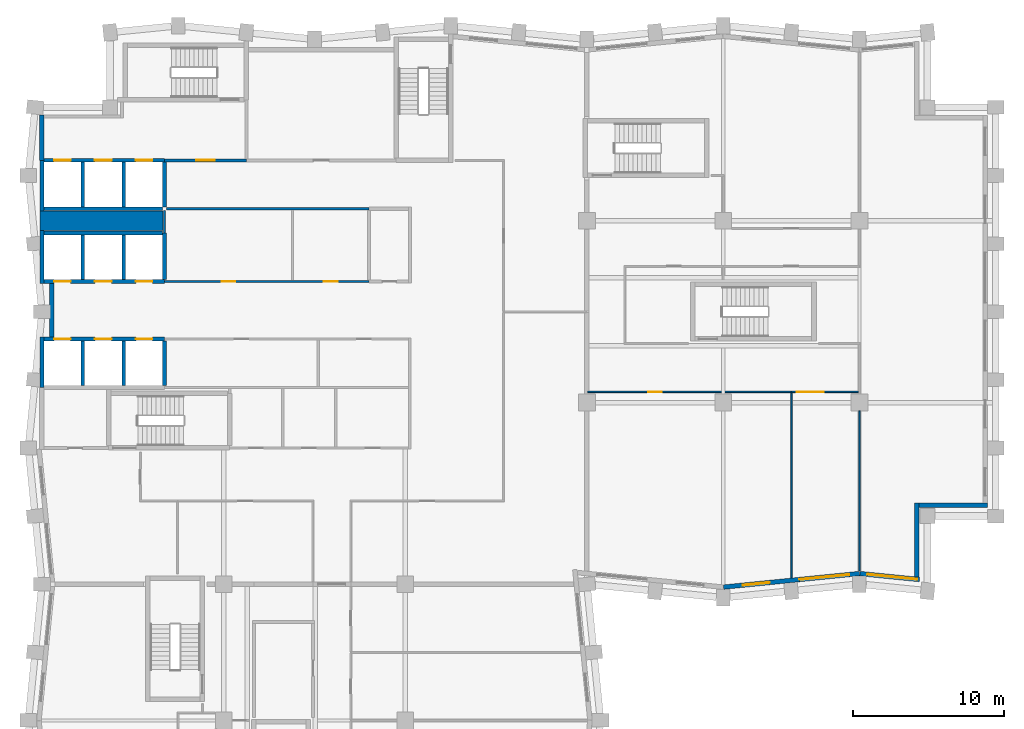
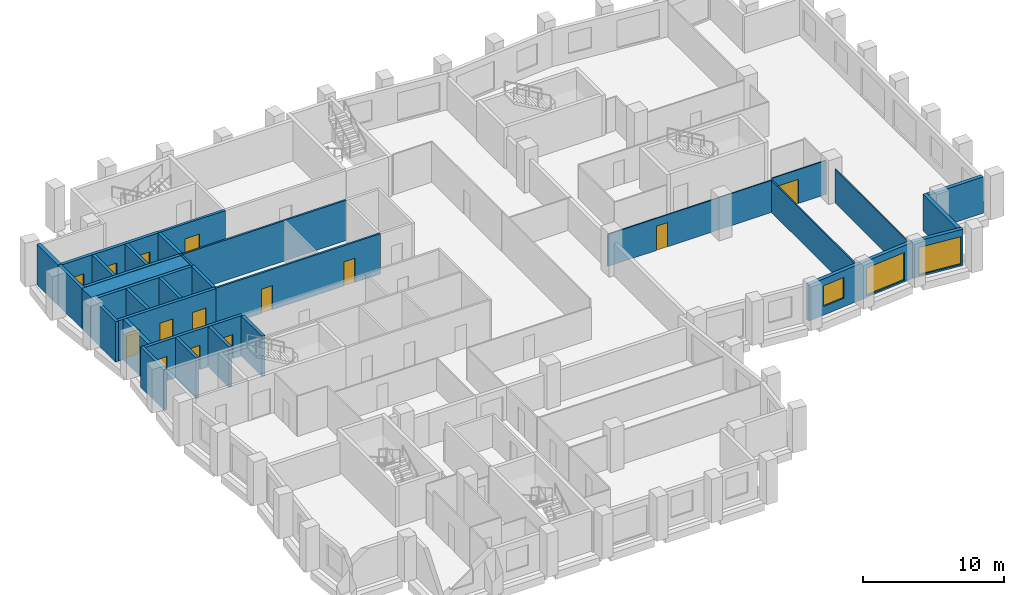
# One storey, part 5 of 10: 32 walls, 14 doors, 3 windows, 17 openings.
"""IFC4 building model written with IfcOpenShell, lengths in metres."""

from ifc_helpers import new_model, si_unit, direction, frame, frame_2d, origin, place, context, subcontext, project, spatial, rectangle, extrude, material, layer, layer_set, type_object, element, fill, save


model = new_model("IFC4")

# Units and contexts
model_context = context("Model", 3, precision=1e-05, world=origin(), true_north=direction((0.0, 1.0)))
body_context = subcontext(model_context, "Body", "Model", "MODEL_VIEW")
ifc_project = project(units=[si_unit("LENGTHUNIT", "METRE"), si_unit("AREAUNIT", "SQUARE_METRE"), si_unit("VOLUMEUNIT", "CUBIC_METRE"), si_unit("PLANEANGLEUNIT", "RADIAN"), si_unit("MASSUNIT", "GRAM", prefix="KILO")], contexts=[model_context])

# Site, building, storey
site_placement = place(None, origin())
site = spatial("IfcSite", under=ifc_project, at=site_placement, CompositionType="ELEMENT")
building_placement = place(site_placement, origin())
building = spatial("IfcBuilding", under=site, at=building_placement, Name="Brondeck Convention Tower", CompositionType="ELEMENT")
storey_placement = place(building_placement, frame((0.0, 0.0, 162.39990234375)))
storey = spatial("IfcBuildingStorey", under=building, at=storey_placement, Name="L39", CompositionType="ELEMENT", Elevation=162.39990234375)

# Walls
ifc_material_1 = material(Name="Concrete C70/85", Category="concrete")
ifc_layer_1 = layer(ifc_material_1, 0.300048828125)
ifc_layer_set_1 = layer_set([ifc_layer_1], Name="Core outer wall 300 Concrete C70/85")
wall_type_1 = type_object("IfcWallType", Name="Core outer wall 300 Concrete C70/85", PredefinedType="SHEAR", material=ifc_layer_set_1)
wall_1_placement = place(storey_placement, frame((0.0, 55.0, 0.0), z_axis=(0.0, 0.0, 1.0), x_axis=(0.0, 1.0, 0.0)))
element("IfcWall", 1, at=wall_1_placement, inside=storey, type_object=wall_type_1, Name="L39 core wall", PredefinedType="SHEAR", context=body_context, shape_type="SweptSolid", body=[
    extrude(rectangle(XDim=3.0, YDim=0.300048828125, at=frame_2d((1.5, 0.0))), origin(), (0.0, 0.0, 1.0), 3.5),
])
wall_2_placement = place(storey_placement, frame((0.64990234375, 43.324951171875, 0.0), z_axis=(0.0, 0.0, 1.0), x_axis=(0.0, 1.0, 0.0)))
element("IfcWall", 2, at=wall_2_placement, inside=storey, type_object=wall_type_1, Name="L39 core wall", PredefinedType="SHEAR", context=body_context, shape_type="SweptSolid", body=[
    extrude(rectangle(XDim=3.550048828125, YDim=0.300048828125, at=frame_2d((1.77490234375, 0.0))), origin(), (0.0, 0.0, 1.0), 3.5),
])

# Wall, openings, doors
ifc_material_2 = material(Name="Fire-rated gypsum board partition")
ifc_layer_2 = layer(ifc_material_2, 0.14990234375)
ifc_layer_set_2 = layer_set([ifc_layer_2], Name="Core partition 150 EI 60")
wall_type_2 = type_object("IfcWallType", Name="Core partition 150 EI 60", PredefinedType="PARTITIONING", material=ifc_layer_set_2)
wall_3_placement = place(storey_placement, frame((8.10009765625, 47.0, 0.0), z_axis=(0.0, 0.0, 1.0), x_axis=(1.0, 0.0, 0.0)))
wall_3 = element("IfcWall", 3, at=wall_3_placement, inside=storey, type_object=wall_type_2, Name="L39 core wall", PredefinedType="PARTITIONING", context=body_context, shape_type="SweptSolid", body=[
    extrude(rectangle(XDim=13.5, YDim=0.14990234375, at=frame_2d((6.75, 0.0))), origin(), (0.0, 0.0, 1.0), 3.5),
])
opening_1_placement = place(wall_3_placement, frame((3.77490234375, 0.0, 0.0)))
opening_1 = element("IfcOpeningElement", 4, at=opening_1_placement, cuts=wall_3, Name="Opening C22-07", PredefinedType="OPENING", context=body_context, shape_type="SweptSolid", body=[
    extrude(rectangle(XDim=0.89990234375, YDim=2.10009765625, at=frame_2d((0.449951171875, 1.050048828125))), frame((0.0, 0.0849609375, 0.0), z_axis=(0.0, -1.0, 0.0), x_axis=(1.0, 0.0, 0.0)), (0.0, 0.0, 1.0), 0.169921875),
])
opening_2_placement = place(wall_3_placement, frame((10.52490234375, 0.0, 0.0)))
opening_2 = element("IfcOpeningElement", 5, at=opening_2_placement, cuts=wall_3, Name="Opening C22-08", PredefinedType="OPENING", context=body_context, shape_type="SweptSolid", body=[
    extrude(rectangle(XDim=0.89990234375, YDim=2.10009765625, at=frame_2d((0.449951171875, 1.050048828125))), frame((0.0, 0.0849609375, 0.0), z_axis=(0.0, -1.0, 0.0), x_axis=(1.0, 0.0, 0.0)), (0.0, 0.0, 1.0), 0.169921875),
])
ifc_material_3 = material(Name="Steel fire door", Category="steel")
door_type_1 = type_object("IfcDoorType", Name="Room door 900x2100 EI 60", OperationType="NOTDEFINED", PredefinedType="DOOR", material=ifc_material_3)
door_1_placement = place(opening_1_placement, origin())
door_1 = element("IfcDoor", 6, at=door_1_placement, inside=storey, type_object=door_type_1, Name="L39 Room door FZ-N-8.1-1", OperationType="SINGLE_SWING_LEFT", OverallHeight=2.10009765625, OverallWidth=0.89990234375, PredefinedType="DOOR", context=body_context, shape_type="SweptSolid", body=[
    extrude(rectangle(XDim=0.89990234375, YDim=2.10009765625, at=frame_2d((0.449951171875, 1.050048828125))), frame((0.0, 0.02490234375, 0.0), z_axis=(0.0, -1.0, 0.0), x_axis=(1.0, 0.0, 0.0)), (0.0, 0.0, 1.0), 0.050048828125),
])
fill(opening_1, door_1)
door_2_placement = place(opening_2_placement, origin())
door_2 = element("IfcDoor", 7, at=door_2_placement, inside=storey, type_object=door_type_1, Name="L39 Room door FZ-N-8.1-2", OperationType="SINGLE_SWING_RIGHT", OverallHeight=2.10009765625, OverallWidth=0.89990234375, PredefinedType="DOOR", context=body_context, shape_type="SweptSolid", body=[
    extrude(rectangle(XDim=0.89990234375, YDim=2.10009765625, at=frame_2d((0.449951171875, 1.050048828125))), frame((0.0, 0.02490234375, 0.0), z_axis=(0.0, -1.0, 0.0), x_axis=(1.0, 0.0, 0.0)), (0.0, 0.0, 1.0), 0.050048828125),
])
fill(opening_2, door_2)

# Walls
wall_4_placement = place(storey_placement, frame((8.22509765625, 51.800048828125, 0.0), z_axis=(0.0, 0.0, 1.0), x_axis=(1.0, 0.0, 0.0)))
element("IfcWall", 8, at=wall_4_placement, inside=storey, type_object=wall_type_2, Name="L39 core wall", PredefinedType="PARTITIONING", context=body_context, shape_type="SweptSolid", body=[
    extrude(rectangle(XDim=13.375, YDim=0.14990234375, at=frame_2d((6.6875, 0.0))), origin(), (0.0, 0.0, 1.0), 3.5),
])
wall_5_placement = place(storey_placement, frame((8.10009765625, 50.199951171875, 0.0), z_axis=(0.0, 0.0, 1.0), x_axis=(0.0, 1.0, 0.0)))
element("IfcWall", 9, at=wall_5_placement, inside=storey, type_object=wall_type_2, Name="L39 core wall", PredefinedType="PARTITIONING", context=body_context, shape_type="SweptSolid", body=[
    extrude(rectangle(XDim=1.47509765625, YDim=0.14990234375, at=frame_2d((0.737548828125, 0.0))), origin(), (0.0, 0.0, 1.0), 3.5),
])
ifc_layer_3 = layer(ifc_material_1, 1.300048828125)
ifc_layer_set_3 = layer_set([ifc_layer_3], Name="Core shear wall 1300 Concrete C70/85")
wall_type_3 = type_object("IfcWallType", Name="Core shear wall 1300 Concrete C70/85", PredefinedType="SHEAR", material=ifc_layer_set_3)
wall_6_placement = place(storey_placement, frame((-0.125, 51.0, 0.0), z_axis=(0.0, 0.0, 1.0), x_axis=(1.0, 0.0, 0.0)))
element("IfcWall", 10, at=wall_6_placement, inside=storey, type_object=wall_type_3, Name="L39 core wall", PredefinedType="SHEAR", context=body_context, shape_type="SweptSolid", body=[
    extrude(rectangle(XDim=8.125, YDim=1.300048828125, at=frame_2d((4.0625, 0.0))), origin(), (0.0, 0.0, 1.0), 3.5),
])

# Wall, openings, windows
ifc_material_4 = material(Name="Precast concrete C50/60 bronze finish", Category="concrete")
ifc_layer_4 = layer(ifc_material_4, 0.070068359375, Name="Bronze precast facing")
ifc_material_5 = material(Name="Mineral wool")
ifc_layer_5 = layer(ifc_material_5, 0.159912109375, Name="Insulation")
ifc_material_6 = material(Name="Concrete C35/45", Category="concrete")
ifc_layer_6 = layer(ifc_material_6, 0.070068359375, Name="Backing")
ifc_layer_set_4 = layer_set([ifc_layer_4, ifc_layer_5, ifc_layer_6], Name="External infill wall, precast concrete C50/60 bronze facing")
wall_type_4 = type_object("IfcWallType", Name="External infill wall, precast concrete C50/60 bronze facing", PredefinedType="SOLIDWALL", material=ifc_layer_set_4)
wall_7_placement = place(storey_placement, frame((54.014892578125, 27.705078125, 0.0), z_axis=(0.0, 0.0, 1.0), x_axis=(-0.995035316196, -0.099522457379, 0.0)))
wall_7 = element("IfcWall", 11, at=wall_7_placement, inside=storey, type_object=wall_type_4, Name="ENV-EW-L39-P1-A-S-02", PredefinedType="SOLIDWALL", context=body_context, shape_type="SweptSolid", body=[
    extrude(rectangle(XDim=9.030029296875, YDim=0.300048828125, at=frame_2d((4.51513671875, 0.0))), origin(), (0.0, 0.0, 1.0), 3.150146484375),
])
opening_3_placement = place(wall_7_placement, frame((0.6962890625, 0.0, 0.14990234375)))
opening_3 = element("IfcOpeningElement", 12, at=opening_3_placement, cuts=wall_7, Name="Opening W9", PredefinedType="OPENING", context=body_context, shape_type="SweptSolid", body=[
    extrude(rectangle(XDim=3.300048828125, YDim=2.39990234375, at=frame_2d((1.64990234375, 1.199951171875))), frame((0.0, 0.159912109375, 0.0), z_axis=(0.0, -1.0, 0.0), x_axis=(1.0, 0.0, 0.0)), (0.0, 0.0, 1.0), 0.320068359375),
])
opening_4_placement = place(wall_7_placement, frame((5.968505859375, 0.0, 0.75)))
opening_4 = element("IfcOpeningElement", 13, at=opening_4_placement, cuts=wall_7, Name="Opening W10", PredefinedType="OPENING", context=body_context, shape_type="SweptSolid", body=[
    extrude(rectangle(XDim=1.800048828125, YDim=1.800048828125, at=frame_2d((0.89990234375, 0.89990234375))), frame((0.0, 0.159912109375, 0.0), z_axis=(0.0, -1.0, 0.0), x_axis=(1.0, 0.0, 0.0)), (0.0, 0.0, 1.0), 0.320068359375),
])
ifc_material_7 = material(Name="Bronze tinted double glazing", Category="glass")
window_type_1 = type_object("IfcWindowType", Name="Glazed flute window, bronze tinted", PartitioningType="SINGLE_PANEL", PredefinedType="WINDOW", material=ifc_material_7)
window_1_placement = place(opening_3_placement, origin())
window_1 = element("IfcWindow", 14, at=window_1_placement, inside=storey, type_object=window_type_1, Name="ENV-WN-L39-P1-A-S-03", OverallHeight=2.39990234375, OverallWidth=3.300048828125, PartitioningType="SINGLE_PANEL", PredefinedType="WINDOW", context=body_context, shape_type="SweptSolid", body=[
    extrude(rectangle(XDim=3.300048828125, YDim=2.39990234375, at=frame_2d((1.64990234375, 1.199951171875))), frame((0.0, 0.030029296875, 0.0), z_axis=(0.0, -1.0, 0.0), x_axis=(1.0, 0.0, 0.0)), (0.0, 0.0, 1.0), 0.06005859375),
])
fill(opening_3, window_1)
window_type_2 = type_object("IfcWindowType", Name="Punched window, bronze tinted", PartitioningType="SINGLE_PANEL", PredefinedType="WINDOW", material=ifc_material_7)
window_2_placement = place(opening_4_placement, origin())
window_2 = element("IfcWindow", 15, at=window_2_placement, inside=storey, type_object=window_type_2, Name="ENV-WN-L39-P1-A-S-02", OverallHeight=1.800048828125, OverallWidth=1.800048828125, PartitioningType="SINGLE_PANEL", PredefinedType="WINDOW", context=body_context, shape_type="SweptSolid", body=[
    extrude(rectangle(XDim=1.800048828125, YDim=1.800048828125, at=frame_2d((0.89990234375, 0.89990234375))), frame((0.0, 0.030029296875, 0.0), z_axis=(0.0, -1.0, 0.0), x_axis=(1.0, 0.0, 0.0)), (0.0, 0.0, 1.0), 0.06005859375),
])
fill(opening_4, window_2)

# Wall, opening, window
wall_8_placement = place(storey_placement, frame((57.96484375, 27.306884765625, 0.0), z_axis=(0.0, 0.0, 1.0), x_axis=(-0.99503596767, 0.099515943658, 0.0)))
wall_8 = element("IfcWall", 16, at=wall_8_placement, inside=storey, type_object=wall_type_4, Name="ENV-EW-L39-P1-A-S-04", PredefinedType="SOLIDWALL", context=body_context, shape_type="SweptSolid", body=[
    extrude(rectangle(XDim=3.95458984375, YDim=0.300048828125, at=frame_2d((1.977294921875, 0.0))), origin(), (0.0, 0.0, 1.0), 3.150146484375),
])
opening_5_placement = place(wall_8_placement, frame((0.14990234375, 0.0, 0.14990234375)))
opening_5 = element("IfcOpeningElement", 17, at=opening_5_placement, cuts=wall_8, Name="Opening W9", PredefinedType="OPENING", context=body_context, shape_type="SweptSolid", body=[
    extrude(rectangle(XDim=3.300048828125, YDim=2.39990234375, at=frame_2d((1.64990234375, 1.199951171875))), frame((0.0, 0.159912109375, 0.0), z_axis=(0.0, -1.0, 0.0), x_axis=(1.0, 0.0, 0.0)), (0.0, 0.0, 1.0), 0.320068359375),
])
window_3_placement = place(opening_5_placement, origin())
window_3 = element("IfcWindow", 18, at=window_3_placement, inside=storey, type_object=window_type_1, Name="ENV-WN-L39-P1-A-S-04", OverallHeight=2.39990234375, OverallWidth=3.300048828125, PartitioningType="SINGLE_PANEL", PredefinedType="WINDOW", context=body_context, shape_type="SweptSolid", body=[
    extrude(rectangle(XDim=3.300048828125, YDim=2.39990234375, at=frame_2d((1.64990234375, 1.199951171875))), frame((0.0, 0.030029296875, 0.0), z_axis=(0.0, -1.0, 0.0), x_axis=(1.0, 0.0, 0.0)), (0.0, 0.0, 1.0), 0.06005859375),
])
fill(opening_5, window_3)

# Walls
wall_9_placement = place(storey_placement, frame((57.800048828125, 32.35009765625, 0.0), z_axis=(0.0, 0.0, 1.0), x_axis=(0.0, -1.0, 0.0)))
element("IfcWall", 19, at=wall_9_placement, inside=storey, type_object=wall_type_4, Name="ENV-EW-L39-P1-NC-SEA63-01", PredefinedType="SOLIDWALL", context=body_context, shape_type="SweptSolid", body=[
    extrude(rectangle(XDim=4.87060546875, YDim=0.300048828125, at=frame_2d((2.435302734375, 0.0))), origin(), (0.0, 0.0, 1.0), 3.150146484375),
])
wall_10_placement = place(storey_placement, frame((62.449951171875, 32.199951171875, 0.0), z_axis=(0.0, 0.0, 1.0), x_axis=(-1.0, 0.0, 0.0)))
element("IfcWall", 20, at=wall_10_placement, inside=storey, type_object=wall_type_4, Name="ENV-EW-L39-P1-NC-SEA63-02", PredefinedType="SOLIDWALL", context=body_context, shape_type="SweptSolid", body=[
    extrude(rectangle(XDim=4.501953125, YDim=0.300048828125, at=frame_2d((2.2509765625, 0.0))), origin(), (0.0, 0.0, 1.0), 3.150146484375),
])

# Wall, opening, door
ifc_layer_7 = layer(ifc_material_2, 0.199951171875)
ifc_layer_set_5 = layer_set([ifc_layer_7], Name="Firefighting lobby wall 200 EI 120")
wall_type_5 = type_object("IfcWallType", Name="Firefighting lobby wall 200 EI 120", PredefinedType="PARTITIONING", material=ifc_layer_set_5)
wall_11_placement = place(storey_placement, frame((8.10009765625, 55.0, 0.0), z_axis=(0.0, 0.0, 1.0), x_axis=(1.0, 0.0, 0.0)))
wall_11 = element("IfcWall", 21, at=wall_11_placement, inside=storey, type_object=wall_type_5, Name="L39 core wall", PredefinedType="PARTITIONING", context=body_context, shape_type="SweptSolid", body=[
    extrude(rectangle(XDim=5.39990234375, YDim=0.199951171875, at=frame_2d((2.699951171875, 0.0))), origin(), (0.0, 0.0, 1.0), 3.5),
])
opening_6_placement = place(wall_11_placement, frame((2.10009765625, 0.0, 0.0)))
opening_6 = element("IfcOpeningElement", 22, at=opening_6_placement, cuts=wall_11, Name="Opening C22-01", PredefinedType="OPENING", context=body_context, shape_type="SweptSolid", body=[
    extrude(rectangle(XDim=1.199951171875, YDim=2.199951171875, at=frame_2d((0.60009765625, 1.10009765625))), frame((0.0, 0.10986328125, 0.0), z_axis=(0.0, -1.0, 0.0), x_axis=(1.0, 0.0, 0.0)), (0.0, 0.0, 1.0), 0.219970703125),
])
door_type_2 = type_object("IfcDoorType", Name="Firefighting lobby door 1200x2200 EI 120", OperationType="NOTDEFINED", PredefinedType="DOOR", material=ifc_material_3)
door_3_placement = place(opening_6_placement, origin())
door_3 = element("IfcDoor", 23, at=door_3_placement, inside=storey, type_object=door_type_2, Name="L39 Firefighting lobby door FFL-1", OperationType="SINGLE_SWING_RIGHT", OverallHeight=2.199951171875, OverallWidth=1.199951171875, PredefinedType="DOOR", context=body_context, shape_type="SweptSolid", body=[
    extrude(rectangle(XDim=1.199951171875, YDim=2.199951171875, at=frame_2d((0.60009765625, 1.10009765625))), frame((0.0, 0.02490234375, 0.0), z_axis=(0.0, -1.0, 0.0), x_axis=(1.0, 0.0, 0.0)), (0.0, 0.0, 1.0), 0.050048828125),
])
fill(opening_6, door_3)

# Wall, openings, doors
ifc_layer_8 = layer(ifc_material_1, 0.25)
ifc_layer_set_6 = layer_set([ifc_layer_8], Name="Lift shaft wall 250 Concrete C70/85")
wall_type_6 = type_object("IfcWallType", Name="Lift shaft wall 250 Concrete C70/85", PredefinedType="SHEAR", material=ifc_layer_set_6)
wall_12_placement = place(storey_placement, frame((0.125, 43.199951171875, 0.0), z_axis=(0.0, 0.0, 1.0), x_axis=(1.0, 0.0, 0.0)))
wall_12 = element("IfcWall", 24, at=wall_12_placement, inside=storey, type_object=wall_type_6, Name="L39 core wall", PredefinedType="SHEAR", context=body_context, shape_type="SweptSolid", body=[
    extrude(rectangle(XDim=7.97509765625, YDim=0.25, at=frame_2d((3.987548828125, 0.0))), origin(), (0.0, 0.0, 1.0), 3.5),
])
opening_7_placement = place(wall_12_placement, frame((0.675048828125, 0.0, 0.0)))
opening_7 = element("IfcOpeningElement", 25, at=opening_7_placement, cuts=wall_12, Name="Opening C22-22", PredefinedType="OPENING", context=body_context, shape_type="SweptSolid", body=[
    extrude(rectangle(XDim=1.10009765625, YDim=2.10009765625, at=frame_2d((0.550048828125, 1.050048828125))), frame((0.0, 0.135009765625, 0.0), z_axis=(0.0, -1.0, 0.0), x_axis=(1.0, 0.0, 0.0)), (0.0, 0.0, 1.0), 0.27001953125),
])
opening_8_placement = place(wall_12_placement, frame((3.375, 0.0, 0.0)))
opening_8 = element("IfcOpeningElement", 26, at=opening_8_placement, cuts=wall_12, Name="Opening C22-23", PredefinedType="OPENING", context=body_context, shape_type="SweptSolid", body=[
    extrude(rectangle(XDim=1.10009765625, YDim=2.10009765625, at=frame_2d((0.550048828125, 1.050048828125))), frame((0.0, 0.135009765625, 0.0), z_axis=(0.0, -1.0, 0.0), x_axis=(1.0, 0.0, 0.0)), (0.0, 0.0, 1.0), 0.27001953125),
])
opening_9_placement = place(wall_12_placement, frame((6.074951171875, 0.0, 0.0)))
opening_9 = element("IfcOpeningElement", 27, at=opening_9_placement, cuts=wall_12, Name="Opening C22-24", PredefinedType="OPENING", context=body_context, shape_type="SweptSolid", body=[
    extrude(rectangle(XDim=1.10009765625, YDim=2.10009765625, at=frame_2d((0.550048828125, 1.050048828125))), frame((0.0, 0.135009765625, 0.0), z_axis=(0.0, -1.0, 0.0), x_axis=(1.0, 0.0, 0.0)), (0.0, 0.0, 1.0), 0.27001953125),
])
ifc_material_8 = material(Name="Stainless steel lift door", Category="steel")
door_type_3 = type_object("IfcDoorType", Name="Lift landing door 1100x2100 EI 180", OperationType="DOUBLE_DOOR_SLIDING", PredefinedType="DOOR", material=ifc_material_8)
door_4_placement = place(opening_7_placement, origin())
door_4 = element("IfcDoor", 28, at=door_4_placement, inside=storey, type_object=door_type_3, Name="L39 Lift landing door HR1", OperationType="DOUBLE_DOOR_SLIDING", OverallHeight=2.10009765625, OverallWidth=1.10009765625, PredefinedType="DOOR", context=body_context, shape_type="SweptSolid", body=[
    extrude(rectangle(XDim=1.10009765625, YDim=2.10009765625, at=frame_2d((0.550048828125, 1.050048828125))), frame((0.0, 0.02490234375, 0.0), z_axis=(0.0, -1.0, 0.0), x_axis=(1.0, 0.0, 0.0)), (0.0, 0.0, 1.0), 0.050048828125),
])
fill(opening_7, door_4)
door_5_placement = place(opening_8_placement, origin())
door_5 = element("IfcDoor", 29, at=door_5_placement, inside=storey, type_object=door_type_3, Name="L39 Lift landing door HR2", OperationType="DOUBLE_DOOR_SLIDING", OverallHeight=2.10009765625, OverallWidth=1.10009765625, PredefinedType="DOOR", context=body_context, shape_type="SweptSolid", body=[
    extrude(rectangle(XDim=1.10009765625, YDim=2.10009765625, at=frame_2d((0.550048828125, 1.050048828125))), frame((0.0, 0.02490234375, 0.0), z_axis=(0.0, -1.0, 0.0), x_axis=(1.0, 0.0, 0.0)), (0.0, 0.0, 1.0), 0.050048828125),
])
fill(opening_8, door_5)
door_6_placement = place(opening_9_placement, origin())
door_6 = element("IfcDoor", 30, at=door_6_placement, inside=storey, type_object=door_type_3, Name="L39 Lift landing door HR3", OperationType="DOUBLE_DOOR_SLIDING", OverallHeight=2.10009765625, OverallWidth=1.10009765625, PredefinedType="DOOR", context=body_context, shape_type="SweptSolid", body=[
    extrude(rectangle(XDim=1.10009765625, YDim=2.10009765625, at=frame_2d((0.550048828125, 1.050048828125))), frame((0.0, 0.02490234375, 0.0), z_axis=(0.0, -1.0, 0.0), x_axis=(1.0, 0.0, 0.0)), (0.0, 0.0, 1.0), 0.050048828125),
])
fill(opening_9, door_6)

wall_13_placement = place(storey_placement, frame((0.125, 47.0, 0.0), z_axis=(0.0, 0.0, 1.0), x_axis=(1.0, 0.0, 0.0)))
wall_13 = element("IfcWall", 31, at=wall_13_placement, inside=storey, type_object=wall_type_6, Name="L39 core wall", PredefinedType="SHEAR", context=body_context, shape_type="SweptSolid", body=[
    extrude(rectangle(XDim=7.97509765625, YDim=0.25, at=frame_2d((3.987548828125, 0.0))), origin(), (0.0, 0.0, 1.0), 3.5),
])
opening_10_placement = place(wall_13_placement, frame((0.675048828125, 0.0, 0.0)))
opening_10 = element("IfcOpeningElement", 32, at=opening_10_placement, cuts=wall_13, Name="Opening C22-25", PredefinedType="OPENING", context=body_context, shape_type="SweptSolid", body=[
    extrude(rectangle(XDim=1.10009765625, YDim=2.10009765625, at=frame_2d((0.550048828125, 1.050048828125))), frame((0.0, 0.135009765625, 0.0), z_axis=(0.0, -1.0, 0.0), x_axis=(1.0, 0.0, 0.0)), (0.0, 0.0, 1.0), 0.27001953125),
])
opening_11_placement = place(wall_13_placement, frame((3.375, 0.0, 0.0)))
opening_11 = element("IfcOpeningElement", 33, at=opening_11_placement, cuts=wall_13, Name="Opening C22-26", PredefinedType="OPENING", context=body_context, shape_type="SweptSolid", body=[
    extrude(rectangle(XDim=1.10009765625, YDim=2.10009765625, at=frame_2d((0.550048828125, 1.050048828125))), frame((0.0, 0.135009765625, 0.0), z_axis=(0.0, -1.0, 0.0), x_axis=(1.0, 0.0, 0.0)), (0.0, 0.0, 1.0), 0.27001953125),
])
opening_12_placement = place(wall_13_placement, frame((6.074951171875, 0.0, 0.0)))
opening_12 = element("IfcOpeningElement", 34, at=opening_12_placement, cuts=wall_13, Name="Opening C22-27", PredefinedType="OPENING", context=body_context, shape_type="SweptSolid", body=[
    extrude(rectangle(XDim=1.10009765625, YDim=2.10009765625, at=frame_2d((0.550048828125, 1.050048828125))), frame((0.0, 0.135009765625, 0.0), z_axis=(0.0, -1.0, 0.0), x_axis=(1.0, 0.0, 0.0)), (0.0, 0.0, 1.0), 0.27001953125),
])
door_7_placement = place(opening_10_placement, origin())
door_7 = element("IfcDoor", 35, at=door_7_placement, inside=storey, type_object=door_type_3, Name="L39 Lift landing door HR4", OperationType="DOUBLE_DOOR_SLIDING", OverallHeight=2.10009765625, OverallWidth=1.10009765625, PredefinedType="DOOR", context=body_context, shape_type="SweptSolid", body=[
    extrude(rectangle(XDim=1.10009765625, YDim=2.10009765625, at=frame_2d((0.550048828125, 1.050048828125))), frame((0.0, 0.02490234375, 0.0), z_axis=(0.0, -1.0, 0.0), x_axis=(1.0, 0.0, 0.0)), (0.0, 0.0, 1.0), 0.050048828125),
])
fill(opening_10, door_7)
door_8_placement = place(opening_11_placement, origin())
door_8 = element("IfcDoor", 36, at=door_8_placement, inside=storey, type_object=door_type_3, Name="L39 Lift landing door HR5", OperationType="DOUBLE_DOOR_SLIDING", OverallHeight=2.10009765625, OverallWidth=1.10009765625, PredefinedType="DOOR", context=body_context, shape_type="SweptSolid", body=[
    extrude(rectangle(XDim=1.10009765625, YDim=2.10009765625, at=frame_2d((0.550048828125, 1.050048828125))), frame((0.0, 0.02490234375, 0.0), z_axis=(0.0, -1.0, 0.0), x_axis=(1.0, 0.0, 0.0)), (0.0, 0.0, 1.0), 0.050048828125),
])
fill(opening_11, door_8)
door_9_placement = place(opening_12_placement, origin())
door_9 = element("IfcDoor", 37, at=door_9_placement, inside=storey, type_object=door_type_3, Name="L39 Lift landing door HR6", OperationType="DOUBLE_DOOR_SLIDING", OverallHeight=2.10009765625, OverallWidth=1.10009765625, PredefinedType="DOOR", context=body_context, shape_type="SweptSolid", body=[
    extrude(rectangle(XDim=1.10009765625, YDim=2.10009765625, at=frame_2d((0.550048828125, 1.050048828125))), frame((0.0, 0.02490234375, 0.0), z_axis=(0.0, -1.0, 0.0), x_axis=(1.0, 0.0, 0.0)), (0.0, 0.0, 1.0), 0.050048828125),
])
fill(opening_12, door_9)

# Walls
for number, where, z_axis, x_axis, name in (
    (38, (0.125, 50.199951171875, 0.0), (0.0, 0.0, 1.0), (1.0, 0.0, 0.0), "L39 core wall"),
    (39, (0.125, 51.800048828125, 0.0), (0.0, 0.0, 1.0), (1.0, 0.0, 0.0), "L39 core wall"),
):
    element("IfcWall", number, at=place(storey_placement, frame(where, z_axis=z_axis, x_axis=x_axis)), inside=storey, type_object=wall_type_6, Name=name, PredefinedType="SHEAR", context=body_context, shape_type="SweptSolid", body=[
        extrude(rectangle(XDim=7.85009765625, YDim=0.25, at=frame_2d((3.925048828125, 0.0))), origin(), (0.0, 0.0, 1.0), 3.5),
    ])

# Wall, openings, doors
wall_14_placement = place(storey_placement, frame((0.14990234375, 55.0, 0.0), z_axis=(0.0, 0.0, 1.0), x_axis=(1.0, 0.0, 0.0)))
wall_14 = element("IfcWall", 40, at=wall_14_placement, inside=storey, type_object=wall_type_6, Name="L39 core wall", PredefinedType="SHEAR", context=body_context, shape_type="SweptSolid", body=[
    extrude(rectangle(XDim=7.9501953125, YDim=0.25, at=frame_2d((3.97509765625, 0.0))), origin(), (0.0, 0.0, 1.0), 3.5),
])
opening_13_placement = place(wall_14_placement, frame((0.64990234375, 0.0, 0.0)))
opening_13 = element("IfcOpeningElement", 41, at=opening_13_placement, cuts=wall_14, Name="Opening C22-19", PredefinedType="OPENING", context=body_context, shape_type="SweptSolid", body=[
    extrude(rectangle(XDim=1.10009765625, YDim=2.10009765625, at=frame_2d((0.550048828125, 1.050048828125))), frame((0.0, 0.135009765625, 0.0), z_axis=(0.0, -1.0, 0.0), x_axis=(1.0, 0.0, 0.0)), (0.0, 0.0, 1.0), 0.27001953125),
])
opening_14_placement = place(wall_14_placement, frame((3.35009765625, 0.0, 0.0)))
opening_14 = element("IfcOpeningElement", 42, at=opening_14_placement, cuts=wall_14, Name="Opening C22-20", PredefinedType="OPENING", context=body_context, shape_type="SweptSolid", body=[
    extrude(rectangle(XDim=1.10009765625, YDim=2.10009765625, at=frame_2d((0.550048828125, 1.050048828125))), frame((0.0, 0.135009765625, 0.0), z_axis=(0.0, -1.0, 0.0), x_axis=(1.0, 0.0, 0.0)), (0.0, 0.0, 1.0), 0.27001953125),
])
opening_15_placement = place(wall_14_placement, frame((6.050048828125, 0.0, 0.0)))
opening_15 = element("IfcOpeningElement", 43, at=opening_15_placement, cuts=wall_14, Name="Opening C22-21", PredefinedType="OPENING", context=body_context, shape_type="SweptSolid", body=[
    extrude(rectangle(XDim=1.10009765625, YDim=2.10009765625, at=frame_2d((0.550048828125, 1.050048828125))), frame((0.0, 0.135009765625, 0.0), z_axis=(0.0, -1.0, 0.0), x_axis=(1.0, 0.0, 0.0)), (0.0, 0.0, 1.0), 0.27001953125),
])
door_10_placement = place(opening_13_placement, origin())
door_10 = element("IfcDoor", 44, at=door_10_placement, inside=storey, type_object=door_type_3, Name="L39 Lift landing door FF1", OperationType="DOUBLE_DOOR_SLIDING", OverallHeight=2.10009765625, OverallWidth=1.10009765625, PredefinedType="DOOR", context=body_context, shape_type="SweptSolid", body=[
    extrude(rectangle(XDim=1.10009765625, YDim=2.10009765625, at=frame_2d((0.550048828125, 1.050048828125))), frame((0.0, 0.02490234375, 0.0), z_axis=(0.0, -1.0, 0.0), x_axis=(1.0, 0.0, 0.0)), (0.0, 0.0, 1.0), 0.050048828125),
])
fill(opening_13, door_10)
door_11_placement = place(opening_14_placement, origin())
door_11 = element("IfcDoor", 45, at=door_11_placement, inside=storey, type_object=door_type_3, Name="L39 Lift landing door FF2", OperationType="DOUBLE_DOOR_SLIDING", OverallHeight=2.10009765625, OverallWidth=1.10009765625, PredefinedType="DOOR", context=body_context, shape_type="SweptSolid", body=[
    extrude(rectangle(XDim=1.10009765625, YDim=2.10009765625, at=frame_2d((0.550048828125, 1.050048828125))), frame((0.0, 0.02490234375, 0.0), z_axis=(0.0, -1.0, 0.0), x_axis=(1.0, 0.0, 0.0)), (0.0, 0.0, 1.0), 0.050048828125),
])
fill(opening_14, door_11)
door_12_placement = place(opening_15_placement, origin())
door_12 = element("IfcDoor", 46, at=door_12_placement, inside=storey, type_object=door_type_3, Name="L39 Lift landing door FF3", OperationType="DOUBLE_DOOR_SLIDING", OverallHeight=2.10009765625, OverallWidth=1.10009765625, PredefinedType="DOOR", context=body_context, shape_type="SweptSolid", body=[
    extrude(rectangle(XDim=1.10009765625, YDim=2.10009765625, at=frame_2d((0.550048828125, 1.050048828125))), frame((0.0, 0.02490234375, 0.0), z_axis=(0.0, -1.0, 0.0), x_axis=(1.0, 0.0, 0.0)), (0.0, 0.0, 1.0), 0.050048828125),
])
fill(opening_15, door_12)

# Walls
wall_15_placement = place(storey_placement, frame((0.0, 40.0, 0.0), z_axis=(0.0, 0.0, 1.0), x_axis=(0.0, 1.0, 0.0)))
element("IfcWall", 47, at=wall_15_placement, inside=storey, type_object=wall_type_6, Name="L39 core wall", PredefinedType="SHEAR", context=body_context, shape_type="SweptSolid", body=[
    extrude(rectangle(XDim=3.324951171875, YDim=0.25, at=frame_2d((1.66259765625, 0.0))), origin(), (0.0, 0.0, 1.0), 3.5),
])
wall_16_placement = place(storey_placement, frame((0.0, 46.875, 0.0), z_axis=(0.0, 0.0, 1.0), x_axis=(0.0, 1.0, 0.0)))
element("IfcWall", 48, at=wall_16_placement, inside=storey, type_object=wall_type_6, Name="L39 core wall", PredefinedType="SHEAR", context=body_context, shape_type="SweptSolid", body=[
    extrude(rectangle(XDim=3.47509765625, YDim=0.25, at=frame_2d((1.737548828125, 0.0))), origin(), (0.0, 0.0, 1.0), 3.5),
])
wall_17_placement = place(storey_placement, frame((0.0, 51.64990234375, 0.0), z_axis=(0.0, 0.0, 1.0), x_axis=(0.0, 1.0, 0.0)))
element("IfcWall", 49, at=wall_17_placement, inside=storey, type_object=wall_type_6, Name="L39 core wall", PredefinedType="SHEAR", context=body_context, shape_type="SweptSolid", body=[
    extrude(rectangle(XDim=3.35009765625, YDim=0.25, at=frame_2d((1.675048828125, 0.0))), origin(), (0.0, 0.0, 1.0), 3.5),
])
for number, where, z_axis, x_axis, name in (
    (50, (2.699951171875, 40.125, 0.0), (0.0, 0.0, 1.0), (0.0, 1.0, 0.0), "L39 core wall"),
    (51, (2.699951171875, 47.125, 0.0), (0.0, 0.0, 1.0), (0.0, 1.0, 0.0), "L39 core wall"),
    (52, (2.699951171875, 51.925048828125, 0.0), (0.0, 0.0, 1.0), (0.0, 1.0, 0.0), "L39 core wall"),
    (53, (5.39990234375, 40.125, 0.0), (0.0, 0.0, 1.0), (0.0, 1.0, 0.0), "L39 core wall"),
    (54, (5.39990234375, 47.125, 0.0), (0.0, 0.0, 1.0), (0.0, 1.0, 0.0), "L39 core wall"),
    (55, (5.39990234375, 51.925048828125, 0.0), (0.0, 0.0, 1.0), (0.0, 1.0, 0.0), "L39 core wall"),
    (56, (8.10009765625, 40.125, 0.0), (0.0, 0.0, 1.0), (0.0, 1.0, 0.0), "L39 core wall"),
):
    element("IfcWall", number, at=place(storey_placement, frame(where, z_axis=z_axis, x_axis=x_axis)), inside=storey, type_object=wall_type_6, Name=name, PredefinedType="SHEAR", context=body_context, shape_type="SweptSolid", body=[
        extrude(rectangle(XDim=2.949951171875, YDim=0.25, at=frame_2d((1.47509765625, 0.0))), origin(), (0.0, 0.0, 1.0), 3.5),
    ])
wall_18_placement = place(storey_placement, frame((8.10009765625, 47.125, 0.0), z_axis=(0.0, 0.0, 1.0), x_axis=(0.0, 1.0, 0.0)))
element("IfcWall", 57, at=wall_18_placement, inside=storey, type_object=wall_type_6, Name="L39 core wall", PredefinedType="SHEAR", context=body_context, shape_type="SweptSolid", body=[
    extrude(rectangle(XDim=3.074951171875, YDim=0.25, at=frame_2d((1.53759765625, 0.0))), origin(), (0.0, 0.0, 1.0), 3.5),
])
wall_19_placement = place(storey_placement, frame((8.10009765625, 51.925048828125, 0.0), z_axis=(0.0, 0.0, 1.0), x_axis=(0.0, 1.0, 0.0)))
element("IfcWall", 58, at=wall_19_placement, inside=storey, type_object=wall_type_6, Name="L39 core wall", PredefinedType="SHEAR", context=body_context, shape_type="SweptSolid", body=[
    extrude(rectangle(XDim=2.949951171875, YDim=0.25, at=frame_2d((1.47509765625, 0.0))), origin(), (0.0, 0.0, 1.0), 3.5),
])
ifc_material_9 = material(Name="Gypsum board partition on steel studs", Category="steel")
ifc_layer_9 = layer(ifc_material_9, 0.10009765625)
ifc_layer_set_7 = layer_set([ifc_layer_9], Name="Room partition 100")
wall_type_7 = type_object("IfcWallType", Name="Room partition 100", PredefinedType="PARTITIONING", material=ifc_layer_set_7)
wall_20_placement = place(storey_placement, frame((54.0, 27.874267578125, 0.0), z_axis=(0.0, 0.0, 1.0), x_axis=(0.0, 1.0, 0.0)))
element("IfcWall", 59, at=wall_20_placement, inside=storey, type_object=wall_type_7, Name="FLR-L39-W030", PredefinedType="PARTITIONING", context=body_context, shape_type="SweptSolid", body=[
    extrude(rectangle(XDim=10.57080078125, YDim=0.10009765625, at=frame_2d((5.285400390625, 0.0))), origin(), (0.0, 0.0, 1.0), 2.93017578125),
])
wall_21_placement = place(storey_placement, frame((49.5, 39.64990234375, 0.0), z_axis=(0.0, 0.0, 1.0), x_axis=(0.0, -1.0, 0.0)))
element("IfcWall", 60, at=wall_21_placement, inside=storey, type_object=wall_type_7, Name="FLR-L39-W038", PredefinedType="PARTITIONING", context=body_context, shape_type="SweptSolid", body=[
    extrude(rectangle(XDim=12.2255859375, YDim=0.10009765625, at=frame_2d((6.11279296875, 0.0))), origin(), (0.0, 0.0, 1.0), 2.780029296875),
])

# Wall, opening, door
wall_22_placement = place(storey_placement, frame((49.5, 39.699951171875, 0.0), z_axis=(0.0, 0.0, 1.0), x_axis=(-1.0, 0.0, 0.0)))
wall_22 = element("IfcWall", 61, at=wall_22_placement, inside=storey, type_object=wall_type_7, Name="FLR-L39-W039", PredefinedType="PARTITIONING", context=body_context, shape_type="SweptSolid", body=[
    extrude(rectangle(XDim=13.449951171875, YDim=0.10009765625, at=frame_2d((6.72509765625, 0.0))), origin(), (0.0, 0.0, 1.0), 2.780029296875),
])
opening_16_placement = place(wall_22_placement, frame((8.550048828125, 0.0, 0.0)))
opening_16 = element("IfcOpeningElement", 62, at=opening_16_placement, cuts=wall_22, Name="Opening OF-G-006", PredefinedType="OPENING", context=body_context, shape_type="SweptSolid", body=[
    extrude(rectangle(XDim=0.89990234375, YDim=2.10009765625, at=frame_2d((0.449951171875, 1.050048828125))), frame((0.0, 0.06005859375, 0.0), z_axis=(0.0, -1.0, 0.0), x_axis=(1.0, 0.0, 0.0)), (0.0, 0.0, 1.0), 0.1201171875),
])
ifc_material_10 = material(Name="Solid timber door leaf", Category="wood")
door_type_4 = type_object("IfcDoorType", Name="Single door 900", OperationType="NOTDEFINED", PredefinedType="DOOR", material=ifc_material_10)
door_13_placement = place(opening_16_placement, origin())
door_13 = element("IfcDoor", 63, at=door_13_placement, inside=storey, type_object=door_type_4, Name="Door OF-G-006", OperationType="SINGLE_SWING_LEFT", OverallHeight=2.10009765625, OverallWidth=0.89990234375, PredefinedType="DOOR", context=body_context, shape_type="SweptSolid", body=[
    extrude(rectangle(XDim=0.89990234375, YDim=2.10009765625, at=frame_2d((0.449951171875, 1.050048828125))), frame((0.0, 0.02490234375, 0.0), z_axis=(0.0, -1.0, 0.0), x_axis=(1.0, 0.0, 0.0)), (0.0, 0.0, 1.0), 0.050048828125),
])
fill(opening_16, door_13)

wall_23_placement = place(storey_placement, frame((53.949951171875, 39.699951171875, 0.0), z_axis=(0.0, 0.0, 1.0), x_axis=(-1.0, 0.0, 0.0)))
wall_23 = element("IfcWall", 64, at=wall_23_placement, inside=storey, type_object=wall_type_7, Name="FLR-L39-W040", PredefinedType="PARTITIONING", context=body_context, shape_type="SweptSolid", body=[
    extrude(rectangle(XDim=4.449951171875, YDim=0.10009765625, at=frame_2d((2.22509765625, 0.0))), origin(), (0.0, 0.0, 1.0), 2.93017578125),
])
opening_17_placement = place(wall_23_placement, frame((2.2958984375, 0.0, 0.0)))
opening_17 = element("IfcOpeningElement", 65, at=opening_17_placement, cuts=wall_23, Name="Opening OF-G-007", PredefinedType="OPENING", context=body_context, shape_type="SweptSolid", body=[
    extrude(rectangle(XDim=1.800048828125, YDim=2.10009765625, at=frame_2d((0.89990234375, 1.050048828125))), frame((0.0, 0.06005859375, 0.0), z_axis=(0.0, -1.0, 0.0), x_axis=(1.0, 0.0, 0.0)), (0.0, 0.0, 1.0), 0.1201171875),
])
ifc_material_11 = material(Name="Glazed timber double door", Category="wood")
door_type_5 = type_object("IfcDoorType", Name="Double door 1800", OperationType="DOUBLE_DOOR_SINGLE_SWING", PredefinedType="DOOR", material=ifc_material_11)
door_14_placement = place(opening_17_placement, origin())
door_14 = element("IfcDoor", 66, at=door_14_placement, inside=storey, type_object=door_type_5, Name="Door OF-G-007", OperationType="DOUBLE_DOOR_SINGLE_SWING", OverallHeight=2.10009765625, OverallWidth=1.800048828125, PredefinedType="DOOR", context=body_context, shape_type="SweptSolid", body=[
    extrude(rectangle(XDim=1.800048828125, YDim=2.10009765625, at=frame_2d((0.89990234375, 1.050048828125))), frame((0.0, 0.02490234375, 0.0), z_axis=(0.0, -1.0, 0.0), x_axis=(1.0, 0.0, 0.0)), (0.0, 0.0, 1.0), 0.050048828125),
])
fill(opening_17, door_14)

save(model, "model.ifc")
